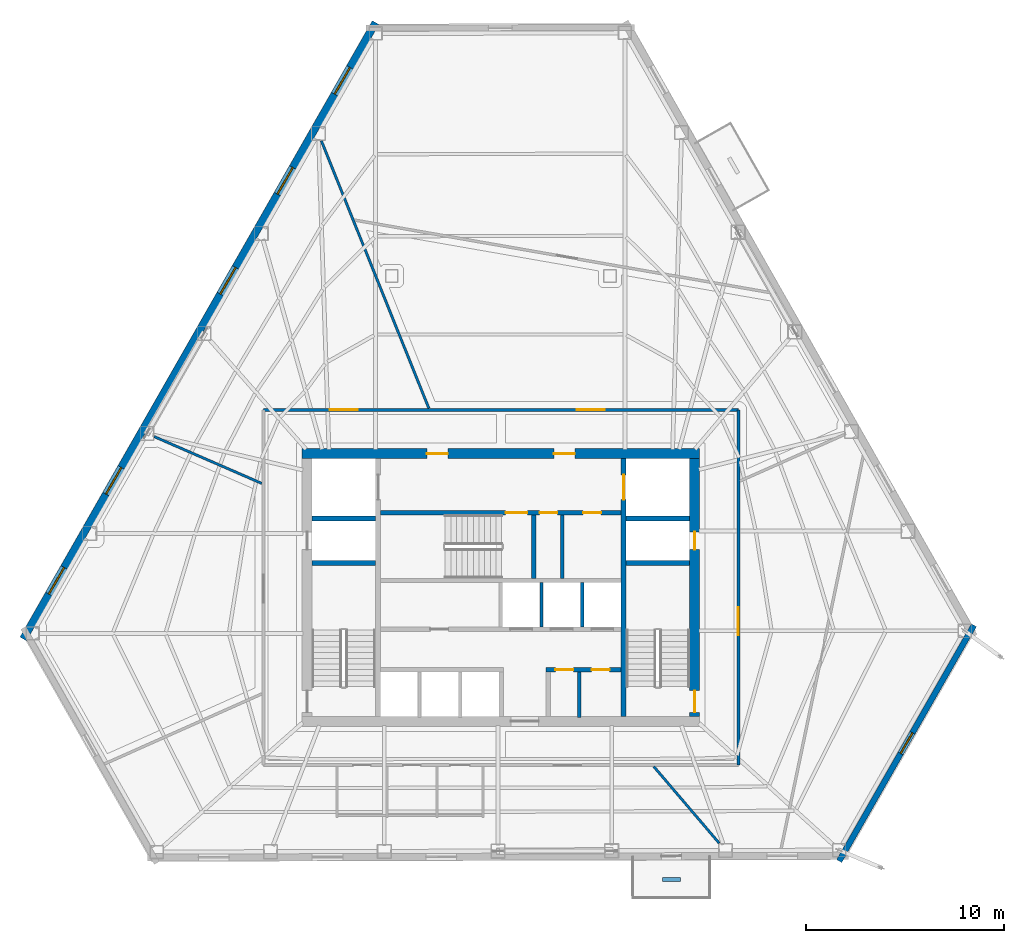
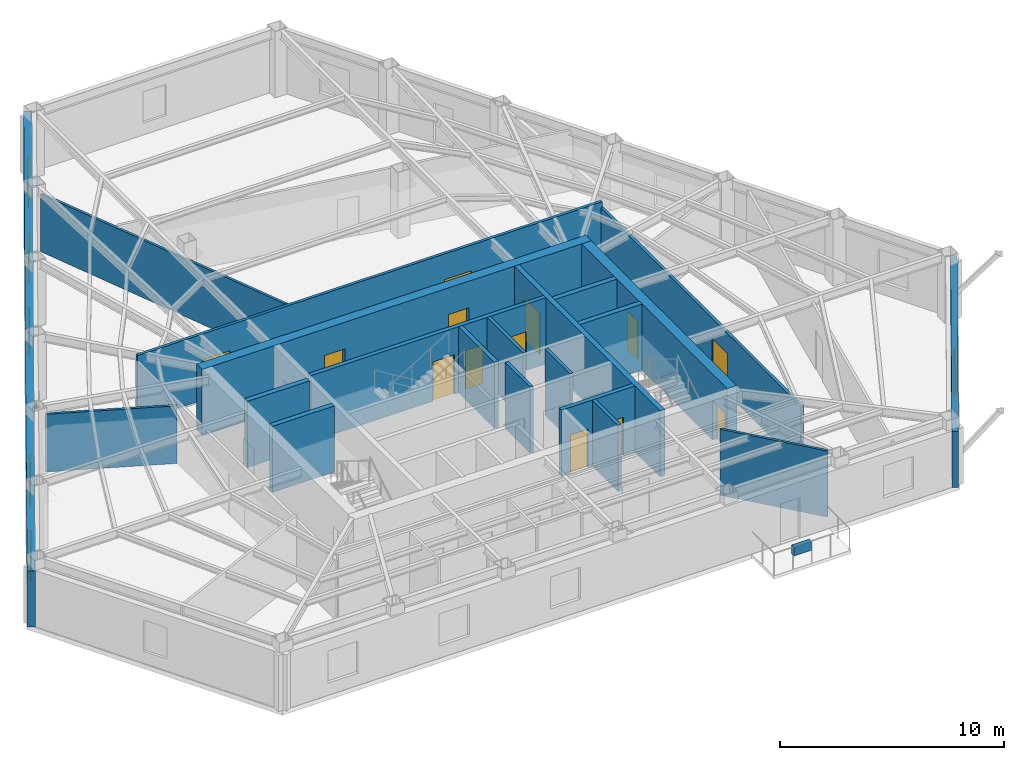
# One storey, part 7 of 11: 22 walls, 13 doors, 6 windows, 19 openings.
"""IFC4 building model written with IfcOpenShell, lengths in metres."""

from ifc_helpers import new_model, si_unit, direction, frame, frame_2d, origin, place, context, subcontext, project, spatial, rectangle, extrude, material, layer, layer_set, type_object, element, fill, save


model = new_model("IFC4")

# Units and contexts
model_context = context("Model", 3, precision=1e-05, world=origin(), true_north=direction((0.0, 1.0)))
body_context = subcontext(model_context, "Body", "Model", "MODEL_VIEW")
ifc_project = project(units=[si_unit("LENGTHUNIT", "METRE"), si_unit("AREAUNIT", "SQUARE_METRE"), si_unit("VOLUMEUNIT", "CUBIC_METRE"), si_unit("PLANEANGLEUNIT", "RADIAN"), si_unit("MASSUNIT", "GRAM", prefix="KILO")], contexts=[model_context])

# Site, building, storey
site_placement = place(None, origin())
site = spatial("IfcSite", under=ifc_project, at=site_placement, CompositionType="ELEMENT")
building_placement = place(site_placement, origin())
building = spatial("IfcBuilding", under=site, at=building_placement, Name="Kavelnor Concourse Tower", CompositionType="ELEMENT")
storey_placement = place(building_placement, frame((0.0, 0.0, 89.35009765625)))
storey = spatial("IfcBuildingStorey", under=building, at=storey_placement, Name="L22", CompositionType="ELEMENT", Elevation=89.35009765625)

# Wall, openings, doors
ifc_material_1 = material(Name="Concrete C60/75", Category="concrete")
ifc_layer_1 = layer(ifc_material_1, 0.5, Name="Concrete C60/75")
ifc_layer_set_1 = layer_set([ifc_layer_1], Name="Concrete C60/75")
wall_type_1 = type_object("IfcWallType", Name="WL-CORE-Z2-500", PredefinedType="SOLIDWALL", material=ifc_layer_set_1)
wall_1_placement = place(storey_placement, frame((27.97998046875, 22.85009765625, 0.0), z_axis=(0.0, 0.0, 1.0), x_axis=(1.0, 0.0, 0.0)))
wall_1 = element("IfcWall", 1, at=wall_1_placement, inside=storey, type_object=wall_type_1, Name="L22 Central Core North Shear Wall", PredefinedType="SOLIDWALL", context=body_context, shape_type="SweptSolid", body=[
    extrude(rectangle(XDim=20.0400390625, YDim=0.5, at=frame_2d((10.02001953125, 0.0))), origin(), (0.0, 0.0, 1.0), 3.599853515625),
])
opening_1_placement = place(wall_1_placement, frame((6.294921875, 0.0, 0.0)))
opening_1 = element("IfcOpeningElement", 2, at=opening_1_placement, cuts=wall_1, Name="Opening FD-105", PredefinedType="OPENING", context=body_context, shape_type="SweptSolid", body=[
    extrude(rectangle(XDim=1.050048828125, YDim=2.14990234375, at=frame_2d((0.52490234375, 1.074951171875))), frame((0.0, 0.260009765625, 0.0), z_axis=(0.0, -1.0, 0.0), x_axis=(1.0, 0.0, 0.0)), (0.0, 0.0, 1.0), 0.52001953125),
])
opening_2_placement = place(wall_1_placement, frame((12.695068359375, 0.0, 0.0)))
opening_2 = element("IfcOpeningElement", 3, at=opening_2_placement, cuts=wall_1, Name="Opening FD-105", PredefinedType="OPENING", context=body_context, shape_type="SweptSolid", body=[
    extrude(rectangle(XDim=1.050048828125, YDim=2.14990234375, at=frame_2d((0.52490234375, 1.074951171875))), frame((0.0, 0.260009765625, 0.0), z_axis=(0.0, -1.0, 0.0), x_axis=(1.0, 0.0, 0.0)), (0.0, 0.0, 1.0), 0.52001953125),
])
ifc_material_2 = material(Name="Steel Grade 350", Category="steel")
door_type_1 = type_object("IfcDoorType", Name="DR-LOBBY-FIRE-1050", OperationType="NOTDEFINED", PredefinedType="DOOR", material=ifc_material_2)
door_1_placement = place(opening_1_placement, origin())
door_1 = element("IfcDoor", 4, at=door_1_placement, inside=storey, type_object=door_type_1, Name="L22 Emergency Lift Lobby West Door", OperationType="SINGLE_SWING_LEFT", OverallHeight=2.14990234375, OverallWidth=1.050048828125, PredefinedType="DOOR", context=body_context, shape_type="SweptSolid", body=[
    extrude(rectangle(XDim=1.050048828125, YDim=2.14990234375, at=frame_2d((0.52490234375, 1.074951171875))), frame((0.0, 0.02490234375, 0.0), z_axis=(0.0, -1.0, 0.0), x_axis=(1.0, 0.0, 0.0)), (0.0, 0.0, 1.0), 0.050048828125),
])
fill(opening_1, door_1)
door_2_placement = place(opening_2_placement, origin())
door_2 = element("IfcDoor", 5, at=door_2_placement, inside=storey, type_object=door_type_1, Name="L22 Emergency Lift Lobby East Door", OperationType="SINGLE_SWING_RIGHT", OverallHeight=2.14990234375, OverallWidth=1.050048828125, PredefinedType="DOOR", context=body_context, shape_type="SweptSolid", body=[
    extrude(rectangle(XDim=1.050048828125, YDim=2.14990234375, at=frame_2d((0.52490234375, 1.074951171875))), frame((0.0, 0.02490234375, 0.0), z_axis=(0.0, -1.0, 0.0), x_axis=(1.0, 0.0, 0.0)), (0.0, 0.0, 1.0), 0.050048828125),
])
fill(opening_2, door_2)

wall_2_placement = place(storey_placement, frame((47.77001953125, 9.60009765625, 0.0), z_axis=(0.0, 0.0, 1.0), x_axis=(0.0, 1.0, 0.0)))
wall_2 = element("IfcWall", 6, at=wall_2_placement, inside=storey, type_object=wall_type_1, Name="L22 Central Core East Shear Wall", PredefinedType="SOLIDWALL", context=body_context, shape_type="SweptSolid", body=[
    extrude(rectangle(XDim=13.0, YDim=0.5, at=frame_2d((6.5, 0.0))), origin(), (0.0, 0.0, 1.0), 3.599853515625),
])
opening_3_placement = place(wall_2_placement, frame((0.199951171875, 0.0, 0.0)))
opening_3 = element("IfcOpeningElement", 7, at=opening_3_placement, cuts=wall_2, Name="Opening FD-110", PredefinedType="OPENING", context=body_context, shape_type="SweptSolid", body=[
    extrude(rectangle(XDim=1.10009765625, YDim=2.14990234375, at=frame_2d((0.550048828125, 1.074951171875))), frame((0.0, 0.260009765625, 0.0), z_axis=(0.0, -1.0, 0.0), x_axis=(1.0, 0.0, 0.0)), (0.0, 0.0, 1.0), 0.52001953125),
])
opening_4_placement = place(wall_2_placement, frame((8.39990234375, 0.0, 0.0)))
opening_4 = element("IfcOpeningElement", 8, at=opening_4_placement, cuts=wall_2, Name="Opening FD-090", PredefinedType="OPENING", context=body_context, shape_type="SweptSolid", body=[
    extrude(rectangle(XDim=0.89990234375, YDim=2.10009765625, at=frame_2d((0.449951171875, 1.050048828125))), frame((0.0, 0.260009765625, 0.0), z_axis=(0.0, -1.0, 0.0), x_axis=(1.0, 0.0, 0.0)), (0.0, 0.0, 1.0), 0.52001953125),
])
door_type_2 = type_object("IfcDoorType", Name="DR-RISER-FIRE-900", OperationType="NOTDEFINED", PredefinedType="DOOR", material=ifc_material_2)
door_3_placement = place(opening_4_placement, origin())
door_3 = element("IfcDoor", 9, at=door_3_placement, inside=storey, type_object=door_type_2, Name="L22 East Riser Access Door", OperationType="SINGLE_SWING_LEFT", OverallHeight=2.10009765625, OverallWidth=0.89990234375, PredefinedType="DOOR", context=body_context, shape_type="SweptSolid", body=[
    extrude(rectangle(XDim=0.89990234375, YDim=2.10009765625, at=frame_2d((0.449951171875, 1.050048828125))), frame((0.0, 0.02490234375, 0.0), z_axis=(0.0, -1.0, 0.0), x_axis=(1.0, 0.0, 0.0)), (0.0, 0.0, 1.0), 0.050048828125),
])
fill(opening_4, door_3)
door_type_3 = type_object("IfcDoorType", Name="DR-STAIR-FIRE-1100", OperationType="NOTDEFINED", PredefinedType="DOOR", material=ifc_material_2)
door_4_placement = place(opening_3_placement, origin())
door_4 = element("IfcDoor", 10, at=door_4_placement, inside=storey, type_object=door_type_3, Name="L22 Stair ST2 Fire Door", OperationType="SINGLE_SWING_RIGHT", OverallHeight=2.14990234375, OverallWidth=1.10009765625, PredefinedType="DOOR", context=body_context, shape_type="SweptSolid", body=[
    extrude(rectangle(XDim=1.10009765625, YDim=2.14990234375, at=frame_2d((0.550048828125, 1.074951171875))), frame((0.0, 0.02490234375, 0.0), z_axis=(0.0, -1.0, 0.0), x_axis=(1.0, 0.0, 0.0)), (0.0, 0.0, 1.0), 0.050048828125),
])
fill(opening_3, door_4)

# Wall, opening, window
ifc_material_3 = material(Name="Buff ironspot clay face brick masonry", Category="masonry")
ifc_layer_2 = layer(ifc_material_3, 0.300048828125, Name="Buff ironspot clay face brick masonry")
ifc_layer_set_2 = layer_set([ifc_layer_2], Name="Buff ironspot clay face brick masonry")
wall_type_2 = type_object("IfcWallType", Name="WL-EXT-BUFF-BRICK-FOLD-300", PredefinedType="STANDARD", material=ifc_layer_set_2)
wall_3_placement = place(storey_placement, frame((61.8466796875, 14.1923828125, 0.0), z_axis=(0.0, 0.0, 1.0), x_axis=(-0.49627336064, -0.868166315586, 0.0)))
wall_3 = element("IfcWall", 11, at=wall_3_placement, inside=storey, type_object=wall_type_2, Name="L22 Exterior Brick Facade Wall E4", PredefinedType="STANDARD", context=body_context, shape_type="SweptSolid", body=[
    extrude(rectangle(XDim=13.69091796875, YDim=0.300048828125, at=frame_2d((6.845458984375, 0.0))), origin(), (0.0, 0.0, 1.0), 3.058837890625),
])
opening_5_placement = place(wall_3_placement, frame((6.24560546875, 0.0, 0.64990234375)))
opening_5 = element("IfcOpeningElement", 12, at=opening_5_placement, cuts=wall_3, Name="Opening W-05", PredefinedType="OPENING", context=body_context, shape_type="SweptSolid", body=[
    extrude(rectangle(XDim=1.199951171875, YDim=1.699951171875, at=frame_2d((0.60009765625, 0.85009765625))), frame((0.0, 0.16015625, 0.0), z_axis=(0.0, -1.0, 0.0), x_axis=(1.0, 0.0, 0.0)), (0.0, 0.0, 1.0), 0.320068359375),
])
ifc_material_4 = material(Name="Double low-E argon insulated glazing", Category="glass")
window_type_1 = type_object("IfcWindowType", Name="WIN-FOLD-1200", PartitioningType="SINGLE_PANEL", PredefinedType="WINDOW", material=ifc_material_4)
window_1_placement = place(opening_5_placement, origin())
window_1 = element("IfcWindow", 13, at=window_1_placement, inside=storey, type_object=window_type_1, Name="L22 Chamfer-Fold Facet Window C2", OverallHeight=1.699951171875, OverallWidth=1.199951171875, PartitioningType="SINGLE_PANEL", PredefinedType="WINDOW", context=body_context, shape_type="SweptSolid", body=[
    extrude(rectangle(XDim=1.199951171875, YDim=1.699951171875, at=frame_2d((0.60009765625, 0.85009765625))), frame((0.0, 0.030029296875, 0.0), z_axis=(0.0, -1.0, 0.0), x_axis=(1.0, 0.0, 0.0)), (0.0, 0.0, 1.0), 0.06005859375),
])
fill(opening_5, window_1)

# Wall, openings, windows
ifc_material_5 = material(Name="Red-ochre clay face brick masonry", Category="masonry")
ifc_layer_3 = layer(ifc_material_5, 0.3798828125, Name="Red-ochre clay face brick masonry")
ifc_layer_set_3 = layer_set([ifc_layer_3], Name="Red-ochre clay face brick masonry")
wall_type_3 = type_object("IfcWallType", Name="WL-EXT-RED-BRICK-PIER-380", PredefinedType="STANDARD", material=ifc_layer_set_3)
wall_4_placement = place(storey_placement, frame((13.926025390625, 13.505615234375, 0.0), z_axis=(0.0, 0.0, 1.0), x_axis=(0.496286611319, 0.868158740914, 0.0)))
wall_4 = element("IfcWall", 14, at=wall_4_placement, inside=storey, type_object=wall_type_3, Name="L22 Exterior Brick Facade Wall E1", PredefinedType="STANDARD", context=body_context, shape_type="SweptSolid", body=[
    extrude(rectangle(XDim=35.784912109375, YDim=0.3798828125, at=frame_2d((17.892578125, 0.0))), origin(), (0.0, 0.0, 1.0), 3.058837890625),
])
opening_6_placement = place(wall_4_placement, frame((31.629638671875, 0.0, 0.64990234375)))
opening_6 = element("IfcOpeningElement", 15, at=opening_6_placement, cuts=wall_4, Name="Opening W-02", PredefinedType="OPENING", context=body_context, shape_type="SweptSolid", body=[
    extrude(rectangle(XDim=1.550048828125, YDim=1.75, at=frame_2d((0.77490234375, 0.875))), frame((0.0, 0.199951171875, 0.0), z_axis=(0.0, -1.0, 0.0), x_axis=(1.0, 0.0, 0.0)), (0.0, 0.0, 1.0), 0.39990234375),
])
opening_7_placement = place(wall_4_placement, frame((25.823974609375, 0.0, 0.64990234375)))
opening_7 = element("IfcOpeningElement", 16, at=opening_7_placement, cuts=wall_4, Name="Opening W-02", PredefinedType="OPENING", context=body_context, shape_type="SweptSolid", body=[
    extrude(rectangle(XDim=1.550048828125, YDim=1.75, at=frame_2d((0.77490234375, 0.875))), frame((0.0, 0.199951171875, 0.0), z_axis=(0.0, -1.0, 0.0), x_axis=(1.0, 0.0, 0.0)), (0.0, 0.0, 1.0), 0.39990234375),
])
opening_8_placement = place(wall_4_placement, frame((20.018310546875, 0.0, 0.64990234375)))
opening_8 = element("IfcOpeningElement", 17, at=opening_8_placement, cuts=wall_4, Name="Opening W-02", PredefinedType="OPENING", context=body_context, shape_type="SweptSolid", body=[
    extrude(rectangle(XDim=1.550048828125, YDim=1.75, at=frame_2d((0.77490234375, 0.875))), frame((0.0, 0.199951171875, 0.0), z_axis=(0.0, -1.0, 0.0), x_axis=(1.0, 0.0, 0.0)), (0.0, 0.0, 1.0), 0.39990234375),
])
opening_9_placement = place(wall_4_placement, frame((8.406982421875, 0.0, 0.64990234375)))
opening_9 = element("IfcOpeningElement", 18, at=opening_9_placement, cuts=wall_4, Name="Opening W-02", PredefinedType="OPENING", context=body_context, shape_type="SweptSolid", body=[
    extrude(rectangle(XDim=1.550048828125, YDim=1.75, at=frame_2d((0.77490234375, 0.875))), frame((0.0, 0.199951171875, 0.0), z_axis=(0.0, -1.0, 0.0), x_axis=(1.0, 0.0, 0.0)), (0.0, 0.0, 1.0), 0.39990234375),
])
opening_10_placement = place(wall_4_placement, frame((2.601318359375, 0.0, 0.64990234375)))
opening_10 = element("IfcOpeningElement", 19, at=opening_10_placement, cuts=wall_4, Name="Opening W-02", PredefinedType="OPENING", context=body_context, shape_type="SweptSolid", body=[
    extrude(rectangle(XDim=1.550048828125, YDim=1.75, at=frame_2d((0.77490234375, 0.875))), frame((0.0, 0.199951171875, 0.0), z_axis=(0.0, -1.0, 0.0), x_axis=(1.0, 0.0, 0.0)), (0.0, 0.0, 1.0), 0.39990234375),
])
window_type_2 = type_object("IfcWindowType", Name="WIN-PIER-Z2-1650", PartitioningType="SINGLE_PANEL", PredefinedType="WINDOW", material=ifc_material_4)
window_2_placement = place(opening_6_placement, origin())
window_2 = element("IfcWindow", 20, at=window_2_placement, inside=storey, type_object=window_type_2, Name="L22 Deep-Set Brick Pier Window F0-B0", OverallHeight=1.75, OverallWidth=1.550048828125, PartitioningType="SINGLE_PANEL", PredefinedType="WINDOW", context=body_context, shape_type="SweptSolid", body=[
    extrude(rectangle(XDim=1.550048828125, YDim=1.75, at=frame_2d((0.77490234375, 0.875))), frame((0.0, 0.030029296875, 0.0), z_axis=(0.0, -1.0, 0.0), x_axis=(1.0, 0.0, 0.0)), (0.0, 0.0, 1.0), 0.06005859375),
])
fill(opening_6, window_2)
window_3_placement = place(opening_7_placement, origin())
window_3 = element("IfcWindow", 21, at=window_3_placement, inside=storey, type_object=window_type_2, Name="L22 Deep-Set Brick Pier Window F0-B1", OverallHeight=1.75, OverallWidth=1.550048828125, PartitioningType="SINGLE_PANEL", PredefinedType="WINDOW", context=body_context, shape_type="SweptSolid", body=[
    extrude(rectangle(XDim=1.550048828125, YDim=1.75, at=frame_2d((0.77490234375, 0.875))), frame((0.0, 0.030029296875, 0.0), z_axis=(0.0, -1.0, 0.0), x_axis=(1.0, 0.0, 0.0)), (0.0, 0.0, 1.0), 0.06005859375),
])
fill(opening_7, window_3)
window_4_placement = place(opening_8_placement, origin())
window_4 = element("IfcWindow", 22, at=window_4_placement, inside=storey, type_object=window_type_2, Name="L22 Deep-Set Brick Pier Window F0-B2", OverallHeight=1.75, OverallWidth=1.550048828125, PartitioningType="SINGLE_PANEL", PredefinedType="WINDOW", context=body_context, shape_type="SweptSolid", body=[
    extrude(rectangle(XDim=1.550048828125, YDim=1.75, at=frame_2d((0.77490234375, 0.875))), frame((0.0, 0.030029296875, 0.0), z_axis=(0.0, -1.0, 0.0), x_axis=(1.0, 0.0, 0.0)), (0.0, 0.0, 1.0), 0.06005859375),
])
fill(opening_8, window_4)
window_5_placement = place(opening_9_placement, origin())
window_5 = element("IfcWindow", 23, at=window_5_placement, inside=storey, type_object=window_type_2, Name="L22 Deep-Set Brick Pier Window F0-B4", OverallHeight=1.75, OverallWidth=1.550048828125, PartitioningType="SINGLE_PANEL", PredefinedType="WINDOW", context=body_context, shape_type="SweptSolid", body=[
    extrude(rectangle(XDim=1.550048828125, YDim=1.75, at=frame_2d((0.77490234375, 0.875))), frame((0.0, 0.030029296875, 0.0), z_axis=(0.0, -1.0, 0.0), x_axis=(1.0, 0.0, 0.0)), (0.0, 0.0, 1.0), 0.06005859375),
])
fill(opening_9, window_5)
window_6_placement = place(opening_10_placement, origin())
window_6 = element("IfcWindow", 24, at=window_6_placement, inside=storey, type_object=window_type_2, Name="L22 Deep-Set Brick Pier Window F0-B5", OverallHeight=1.75, OverallWidth=1.550048828125, PartitioningType="SINGLE_PANEL", PredefinedType="WINDOW", context=body_context, shape_type="SweptSolid", body=[
    extrude(rectangle(XDim=1.550048828125, YDim=1.75, at=frame_2d((0.77490234375, 0.875))), frame((0.0, 0.030029296875, 0.0), z_axis=(0.0, -1.0, 0.0), x_axis=(1.0, 0.0, 0.0)), (0.0, 0.0, 1.0), 0.06005859375),
])
fill(opening_10, window_6)

# Wall, opening, door
ifc_material_6 = material(Name="Gypsum plasterboard on light-gauge steel studs", Category="steel")
ifc_layer_4 = layer(ifc_material_6, 0.14501953125, Name="Gypsum plasterboard on light-gauge steel studs")
ifc_layer_set_4 = layer_set([ifc_layer_4], Name="Gypsum plasterboard on light-gauge steel studs")
wall_type_4 = type_object("IfcWallType", Name="WL-INT-CORR-145", PredefinedType="PARTITIONING", material=ifc_layer_set_4)
wall_5_placement = place(storey_placement, frame((49.969970703125, 7.14990234375, 0.0), z_axis=(0.0, 0.0, 1.0), x_axis=(0.0, 1.0, 0.0)))
wall_5 = element("IfcWall", 25, at=wall_5_placement, inside=storey, type_object=wall_type_4, Name="L22 Corridor Wall WL-L22-CR-01", PredefinedType="PARTITIONING", context=body_context, shape_type="SweptSolid", body=[
    extrude(rectangle(XDim=17.900146484375, YDim=0.14501953125, at=frame_2d((8.9501953125, 0.0))), origin(), (0.0, 0.0, 1.0), 3.287841796875),
])
opening_11_placement = place(wall_5_placement, frame((6.53955078125, 0.0, 0.0)))
opening_11 = element("IfcOpeningElement", 26, at=opening_11_placement, cuts=wall_5, Name="Opening SD-140", PredefinedType="OPENING", context=body_context, shape_type="SweptSolid", body=[
    extrude(rectangle(XDim=1.39990234375, YDim=2.199951171875, at=frame_2d((0.699951171875, 1.10009765625))), frame((0.0, 0.08251953125, 0.0), z_axis=(0.0, -1.0, 0.0), x_axis=(1.0, 0.0, 0.0)), (0.0, 0.0, 1.0), 0.1650390625),
])
ifc_material_7 = material(Name="Solid-core hardwood timber", Category="wood")
door_type_4 = type_object("IfcDoorType", Name="DR-SUITE-ENTRY-1400", OperationType="NOTDEFINED", PredefinedType="DOOR", material=ifc_material_7)
door_5_placement = place(opening_11_placement, origin())
door_5 = element("IfcDoor", 27, at=door_5_placement, inside=storey, type_object=door_type_4, Name="L22 Staff Breakout Pantry 06 Door", OperationType="SINGLE_SWING_LEFT", OverallHeight=2.199951171875, OverallWidth=1.39990234375, PredefinedType="DOOR", context=body_context, shape_type="SweptSolid", body=[
    extrude(rectangle(XDim=1.39990234375, YDim=2.199951171875, at=frame_2d((0.699951171875, 1.10009765625))), frame((0.0, 0.02490234375, 0.0), z_axis=(0.0, -1.0, 0.0), x_axis=(1.0, 0.0, 0.0)), (0.0, 0.0, 1.0), 0.050048828125),
])
fill(opening_11, door_5)

# Wall, openings, doors
wall_6_placement = place(storey_placement, frame((49.969970703125, 25.050048828125, 0.0), z_axis=(0.0, 0.0, 1.0), x_axis=(-1.0, 0.0, 0.0)))
wall_6 = element("IfcWall", 28, at=wall_6_placement, inside=storey, type_object=wall_type_4, Name="L22 Corridor Wall WL-L22-CR-02", PredefinedType="PARTITIONING", context=body_context, shape_type="SweptSolid", body=[
    extrude(rectangle(XDim=23.93994140625, YDim=0.14501953125, at=frame_2d((11.969970703125, 0.0))), origin(), (0.0, 0.0, 1.0), 3.599853515625),
])
opening_12_placement = place(wall_6_placement, frame((6.743408203125, 0.0, 0.0)))
opening_12 = element("IfcOpeningElement", 29, at=opening_12_placement, cuts=wall_6, Name="Opening SD-140", PredefinedType="OPENING", context=body_context, shape_type="SweptSolid", body=[
    extrude(rectangle(XDim=1.39990234375, YDim=2.199951171875, at=frame_2d((0.699951171875, 1.10009765625))), frame((0.0, 0.08251953125, 0.0), z_axis=(0.0, -1.0, 0.0), x_axis=(1.0, 0.0, 0.0)), (0.0, 0.0, 1.0), 0.1650390625),
])
opening_13_placement = place(wall_6_placement, frame((19.184326171875, 0.0, 0.0)))
opening_13 = element("IfcOpeningElement", 30, at=opening_13_placement, cuts=wall_6, Name="Opening SD-140", PredefinedType="OPENING", context=body_context, shape_type="SweptSolid", body=[
    extrude(rectangle(XDim=1.39990234375, YDim=2.199951171875, at=frame_2d((0.699951171875, 1.10009765625))), frame((0.0, 0.08251953125, 0.0), z_axis=(0.0, -1.0, 0.0), x_axis=(1.0, 0.0, 0.0)), (0.0, 0.0, 1.0), 0.1650390625),
])
door_6_placement = place(opening_12_placement, origin())
door_6 = element("IfcDoor", 31, at=door_6_placement, inside=storey, type_object=door_type_4, Name="L22 Staff Breakout Pantry 01 Door", OperationType="SINGLE_SWING_RIGHT", OverallHeight=2.199951171875, OverallWidth=1.39990234375, PredefinedType="DOOR", context=body_context, shape_type="SweptSolid", body=[
    extrude(rectangle(XDim=1.39990234375, YDim=2.199951171875, at=frame_2d((0.699951171875, 1.10009765625))), frame((0.0, 0.02490234375, 0.0), z_axis=(0.0, -1.0, 0.0), x_axis=(1.0, 0.0, 0.0)), (0.0, 0.0, 1.0), 0.050048828125),
])
fill(opening_12, door_6)
door_7_placement = place(opening_13_placement, origin())
door_7 = element("IfcDoor", 32, at=door_7_placement, inside=storey, type_object=door_type_4, Name="L22 Technical Reference Library 03 Door", OperationType="SINGLE_SWING_RIGHT", OverallHeight=2.199951171875, OverallWidth=1.39990234375, PredefinedType="DOOR", context=body_context, shape_type="SweptSolid", body=[
    extrude(rectangle(XDim=1.39990234375, YDim=2.199951171875, at=frame_2d((0.699951171875, 1.10009765625))), frame((0.0, 0.02490234375, 0.0), z_axis=(0.0, -1.0, 0.0), x_axis=(1.0, 0.0, 0.0)), (0.0, 0.0, 1.0), 0.050048828125),
])
fill(opening_13, door_7)

# Walls
ifc_layer_5 = layer(ifc_material_6, 0.1650390625, Name="Gypsum plasterboard on light-gauge steel studs")
ifc_layer_set_5 = layer_set([ifc_layer_5], Name="Gypsum plasterboard on light-gauge steel studs")
wall_type_5 = type_object("IfcWallType", Name="WL-INT-FIRE-165", PredefinedType="PARTITIONING", material=ifc_layer_set_5)
for number, where, z_axis, x_axis, name in (
    (33, (40.050048828125, 14.10009765625, 0.0), (0.0, 0.0, 1.0), (0.0, 1.0, 0.0), "L22 Lift Shaft Divider LP4"),
    (34, (42.10009765625, 14.10009765625, 0.0), (0.0, 0.0, 1.0), (0.0, 1.0, 0.0), "L22 Lift Shaft Divider LP5"),
):
    element("IfcWall", number, at=place(storey_placement, frame(where, z_axis=z_axis, x_axis=x_axis)), inside=storey, type_object=wall_type_5, Name=name, PredefinedType="PARTITIONING", context=body_context, shape_type="SweptSolid", body=[
        extrude(rectangle(XDim=2.239990234375, YDim=0.1650390625, at=frame_2d((1.1201171875, 0.0))), origin(), (0.0, 0.0, 1.0), 3.599853515625),
    ])
wall_7_placement = place(storey_placement, frame((41.10009765625, 16.56005859375, 0.0), z_axis=(0.0, 0.0, 1.0), x_axis=(0.0, 1.0, 0.0)))
element("IfcWall", 35, at=wall_7_placement, inside=storey, type_object=wall_type_5, Name="L22 Core Support West Divider", PredefinedType="PARTITIONING", context=body_context, shape_type="SweptSolid", body=[
    extrude(rectangle(XDim=3.199951171875, YDim=0.1650390625, at=frame_2d((1.60009765625, 0.0))), origin(), (0.0, 0.0, 1.0), 3.599853515625),
])
wall_8_placement = place(storey_placement, frame((41.949951171875, 9.550048828125, 0.0), z_axis=(0.0, 0.0, 1.0), x_axis=(0.0, 1.0, 0.0)))
element("IfcWall", 36, at=wall_8_placement, inside=storey, type_object=wall_type_5, Name="L22 Core WC Partition", PredefinedType="PARTITIONING", context=body_context, shape_type="SweptSolid", body=[
    extrude(rectangle(XDim=2.2900390625, YDim=0.1650390625, at=frame_2d((1.14501953125, 0.0))), origin(), (0.0, 0.0, 1.0), 3.599853515625),
])
ifc_layer_6 = layer(ifc_material_6, 0.125, Name="Gypsum plasterboard on light-gauge steel studs")
ifc_layer_set_6 = layer_set([ifc_layer_6], Name="Gypsum plasterboard on light-gauge steel studs")
wall_type_6 = type_object("IfcWallType", Name="WL-INT-SUITE-125", PredefinedType="PARTITIONING", material=ifc_layer_set_6)
wall_9_placement = place(storey_placement, frame((34.3701171875, 25.130615234375, 0.0), z_axis=(0.0, 0.0, 1.0), x_axis=(-0.372968583389, 0.927843971692, 0.0)))
element("IfcWall", 37, at=wall_9_placement, inside=storey, type_object=wall_type_6, Name="L22 Radial Suite Partition 02", PredefinedType="PARTITIONING", context=body_context, shape_type="SweptSolid", body=[
    extrude(rectangle(XDim=14.53369140625, YDim=0.125, at=frame_2d((7.266845703125, 0.0))), origin(), (0.0, 0.0, 1.0), 3.140869140625),
])
wall_10_placement = place(storey_placement, frame((25.949462890625, 21.343017578125, 0.0), z_axis=(0.0, 0.0, 1.0), x_axis=(-0.916959775259, 0.398979661834, 0.0)))
element("IfcWall", 38, at=wall_10_placement, inside=storey, type_object=wall_type_6, Name="L22 Radial Suite Partition 03", PredefinedType="PARTITIONING", context=body_context, shape_type="SweptSolid", body=[
    extrude(rectangle(XDim=5.914794921875, YDim=0.125, at=frame_2d((2.95751953125, 0.0))), origin(), (0.0, 0.0, 1.0), 3.140869140625),
])
wall_11_placement = place(storey_placement, frame((45.710205078125, 7.069580078125, 0.0), z_axis=(0.0, 0.0, 1.0), x_axis=(0.649317320113, -0.760517598613, 0.0)))
element("IfcWall", 39, at=wall_11_placement, inside=storey, type_object=wall_type_6, Name="L22 Radial Suite Partition 05", PredefinedType="PARTITIONING", context=body_context, shape_type="SweptSolid", body=[
    extrude(rectangle(XDim=5.078125, YDim=0.125, at=frame_2d((2.5390625, 0.0))), origin(), (0.0, 0.0, 1.0), 3.599853515625),
])
ifc_material_8 = material(Name="Architectural precast planter concrete C40/50", Category="concrete")
ifc_layer_7 = layer(ifc_material_8, 0.18994140625, Name="Architectural precast planter concrete C40/50")
ifc_layer_set_7 = layer_set([ifc_layer_7], Name="Architectural precast planter concrete C40/50")
wall_type_7 = type_object("IfcWallType", Name="WL-PLANTER-KERB-190", PredefinedType="USERDEFINED", material=ifc_layer_set_7)
wall_12_placement = place(storey_placement, frame((46.147216796875, 1.375732421875, 0.0), z_axis=(0.0, 0.0, 1.0), x_axis=(0.999996319923, 0.002712958003, 0.0)))
element("IfcWall", 40, at=wall_12_placement, inside=storey, type_object=wall_type_7, Name="L22 Tree Balcony 1 Tree Planter Kerb", ObjectType="PLANTER", PredefinedType="USERDEFINED", context=body_context, shape_type="SweptSolid", body=[
    extrude(rectangle(XDim=0.89990234375, YDim=0.18994140625, at=frame_2d((0.449951171875, 0.0))), origin(), (0.0, 0.0, 1.0), 0.5),
])

# Wall, openings, doors
ifc_material_9 = material(Name="Concrete C50/60", Category="concrete")
ifc_layer_8 = layer(ifc_material_9, 0.219970703125, Name="Concrete C50/60")
ifc_layer_set_8 = layer_set([ifc_layer_8], Name="Concrete C50/60")
wall_type_8 = type_object("IfcWallType", Name="WL-SHAFT-220", PredefinedType="SOLIDWALL", material=ifc_layer_set_8)
wall_13_placement = place(storey_placement, frame((31.93994140625, 19.8701171875, 0.0), z_axis=(0.0, 0.0, 1.0), x_axis=(1.0, 0.0, 0.0)))
wall_13 = element("IfcWall", 41, at=wall_13_placement, inside=storey, type_object=wall_type_8, Name="L22 Emergency Lift Lobby South Wall", PredefinedType="SOLIDWALL", context=body_context, shape_type="SweptSolid", body=[
    extrude(rectangle(XDim=12.1201171875, YDim=0.219970703125, at=frame_2d((6.06005859375, 0.0))), origin(), (0.0, 0.0, 1.0), 3.599853515625),
])
opening_14_placement = place(wall_13_placement, frame((6.300048828125, 0.0, 0.0)))
opening_14 = element("IfcOpeningElement", 42, at=opening_14_placement, cuts=wall_13, Name="Opening FD-110", PredefinedType="OPENING", context=body_context, shape_type="SweptSolid", body=[
    extrude(rectangle(XDim=1.10009765625, YDim=2.14990234375, at=frame_2d((0.550048828125, 1.074951171875))), frame((0.0, 0.1201171875, 0.0), z_axis=(0.0, -1.0, 0.0), x_axis=(1.0, 0.0, 0.0)), (0.0, 0.0, 1.0), 0.239990234375),
])
opening_15_placement = place(wall_13_placement, frame((8.010009765625, 0.0, 0.0)))
opening_15 = element("IfcOpeningElement", 43, at=opening_15_placement, cuts=wall_13, Name="Opening FD-090", PredefinedType="OPENING", context=body_context, shape_type="SweptSolid", body=[
    extrude(rectangle(XDim=0.89990234375, YDim=2.10009765625, at=frame_2d((0.449951171875, 1.050048828125))), frame((0.0, 0.1201171875, 0.0), z_axis=(0.0, -1.0, 0.0), x_axis=(1.0, 0.0, 0.0)), (0.0, 0.0, 1.0), 0.239990234375),
])
opening_16_placement = place(wall_13_placement, frame((10.2099609375, 0.0, 0.0)))
opening_16 = element("IfcOpeningElement", 44, at=opening_16_placement, cuts=wall_13, Name="Opening FD-090", PredefinedType="OPENING", context=body_context, shape_type="SweptSolid", body=[
    extrude(rectangle(XDim=0.89990234375, YDim=2.10009765625, at=frame_2d((0.449951171875, 1.050048828125))), frame((0.0, 0.1201171875, 0.0), z_axis=(0.0, -1.0, 0.0), x_axis=(1.0, 0.0, 0.0)), (0.0, 0.0, 1.0), 0.239990234375),
])
door_8_placement = place(opening_15_placement, origin())
door_8 = element("IfcDoor", 45, at=door_8_placement, inside=storey, type_object=door_type_2, Name="L22 Cleaner Door", OperationType="SINGLE_SWING_RIGHT", OverallHeight=2.10009765625, OverallWidth=0.89990234375, PredefinedType="DOOR", context=body_context, shape_type="SweptSolid", body=[
    extrude(rectangle(XDim=0.89990234375, YDim=2.10009765625, at=frame_2d((0.449951171875, 1.050048828125))), frame((0.0, 0.02490234375, 0.0), z_axis=(0.0, -1.0, 0.0), x_axis=(1.0, 0.0, 0.0)), (0.0, 0.0, 1.0), 0.050048828125),
])
fill(opening_15, door_8)
door_9_placement = place(opening_16_placement, origin())
door_9 = element("IfcDoor", 46, at=door_9_placement, inside=storey, type_object=door_type_2, Name="L22 UPS Room Door", OperationType="SINGLE_SWING_LEFT", OverallHeight=2.10009765625, OverallWidth=0.89990234375, PredefinedType="DOOR", context=body_context, shape_type="SweptSolid", body=[
    extrude(rectangle(XDim=0.89990234375, YDim=2.10009765625, at=frame_2d((0.449951171875, 1.050048828125))), frame((0.0, 0.02490234375, 0.0), z_axis=(0.0, -1.0, 0.0), x_axis=(1.0, 0.0, 0.0)), (0.0, 0.0, 1.0), 0.050048828125),
])
fill(opening_16, door_9)
door_10_placement = place(opening_14_placement, origin())
door_10 = element("IfcDoor", 47, at=door_10_placement, inside=storey, type_object=door_type_3, Name="L22 Stair ST3 Fire Door", OperationType="SINGLE_SWING_LEFT", OverallHeight=2.14990234375, OverallWidth=1.10009765625, PredefinedType="DOOR", context=body_context, shape_type="SweptSolid", body=[
    extrude(rectangle(XDim=1.10009765625, YDim=2.14990234375, at=frame_2d((0.550048828125, 1.074951171875))), frame((0.0, 0.02490234375, 0.0), z_axis=(0.0, -1.0, 0.0), x_axis=(1.0, 0.0, 0.0)), (0.0, 0.0, 1.0), 0.050048828125),
])
fill(opening_14, door_10)

# Wall
wall_14_placement = place(storey_placement, frame((39.64990234375, 16.56005859375, 0.0), z_axis=(0.0, 0.0, 1.0), x_axis=(0.0, 1.0, 0.0)))
element("IfcWall", 48, at=wall_14_placement, inside=storey, type_object=wall_type_8, Name="L22 Stair ST3 East Core Wall", PredefinedType="SOLIDWALL", context=body_context, shape_type="SweptSolid", body=[
    extrude(rectangle(XDim=3.199951171875, YDim=0.219970703125, at=frame_2d((1.60009765625, 0.0))), origin(), (0.0, 0.0, 1.0), 3.599853515625),
])

# Wall, openings, doors
wall_15_placement = place(storey_placement, frame((40.280029296875, 11.949951171875, 0.0), z_axis=(0.0, 0.0, 1.0), x_axis=(1.0, 0.0, 0.0)))
wall_15 = element("IfcWall", 49, at=wall_15_placement, inside=storey, type_object=wall_type_8, Name="L22 Core South Support North Wall", PredefinedType="SOLIDWALL", context=body_context, shape_type="SweptSolid", body=[
    extrude(rectangle(XDim=3.780029296875, YDim=0.219970703125, at=frame_2d((1.89013671875, 0.0))), origin(), (0.0, 0.0, 1.0), 3.599853515625),
])
opening_17_placement = place(wall_15_placement, frame((0.469970703125, 0.0, 0.0)))
opening_17 = element("IfcOpeningElement", 50, at=opening_17_placement, cuts=wall_15, Name="Opening FD-090", PredefinedType="OPENING", context=body_context, shape_type="SweptSolid", body=[
    extrude(rectangle(XDim=0.89990234375, YDim=2.10009765625, at=frame_2d((0.449951171875, 1.050048828125))), frame((0.0, 0.1201171875, 0.0), z_axis=(0.0, -1.0, 0.0), x_axis=(1.0, 0.0, 0.0)), (0.0, 0.0, 1.0), 0.239990234375),
])
opening_18_placement = place(wall_15_placement, frame((2.300048828125, 0.0, 0.0)))
opening_18 = element("IfcOpeningElement", 51, at=opening_18_placement, cuts=wall_15, Name="Opening FD-090", PredefinedType="OPENING", context=body_context, shape_type="SweptSolid", body=[
    extrude(rectangle(XDim=0.89990234375, YDim=2.10009765625, at=frame_2d((0.449951171875, 1.050048828125))), frame((0.0, 0.1201171875, 0.0), z_axis=(0.0, -1.0, 0.0), x_axis=(1.0, 0.0, 0.0)), (0.0, 0.0, 1.0), 0.239990234375),
])
door_11_placement = place(opening_17_placement, origin())
door_11 = element("IfcDoor", 52, at=door_11_placement, inside=storey, type_object=door_type_2, Name="L22 Staff WC Door", OperationType="SINGLE_SWING_LEFT", OverallHeight=2.10009765625, OverallWidth=0.89990234375, PredefinedType="DOOR", context=body_context, shape_type="SweptSolid", body=[
    extrude(rectangle(XDim=0.89990234375, YDim=2.10009765625, at=frame_2d((0.449951171875, 1.050048828125))), frame((0.0, 0.02490234375, 0.0), z_axis=(0.0, -1.0, 0.0), x_axis=(1.0, 0.0, 0.0)), (0.0, 0.0, 1.0), 0.050048828125),
])
fill(opening_17, door_11)
door_12_placement = place(opening_18_placement, origin())
door_12 = element("IfcDoor", 53, at=door_12_placement, inside=storey, type_object=door_type_2, Name="L22 Core Comms Door", OperationType="SINGLE_SWING_RIGHT", OverallHeight=2.10009765625, OverallWidth=0.89990234375, PredefinedType="DOOR", context=body_context, shape_type="SweptSolid", body=[
    extrude(rectangle(XDim=0.89990234375, YDim=2.10009765625, at=frame_2d((0.449951171875, 1.050048828125))), frame((0.0, 0.02490234375, 0.0), z_axis=(0.0, -1.0, 0.0), x_axis=(1.0, 0.0, 0.0)), (0.0, 0.0, 1.0), 0.050048828125),
])
fill(opening_18, door_12)

# Wall, opening, door
ifc_layer_9 = layer(ifc_material_9, 0.260009765625, Name="Concrete C50/60")
ifc_layer_set_9 = layer_set([ifc_layer_9], Name="Concrete C50/60")
wall_type_9 = type_object("IfcWallType", Name="WL-SHAFT-260", PredefinedType="SHEAR", material=ifc_layer_set_9)
wall_16_placement = place(storey_placement, frame((44.18994140625, 9.60009765625, 0.0), z_axis=(0.0, 0.0, 1.0), x_axis=(0.0, 1.0, 0.0)))
wall_16 = element("IfcWall", 54, at=wall_16_placement, inside=storey, type_object=wall_type_9, Name="L22 Core East Wing Shear Wall", PredefinedType="SHEAR", context=body_context, shape_type="SweptSolid", body=[
    extrude(rectangle(XDim=13.0, YDim=0.260009765625, at=frame_2d((6.5, 0.0))), origin(), (0.0, 0.0, 1.0), 3.599853515625),
])
opening_19_placement = place(wall_16_placement, frame((10.925048828125, 0.0, 0.0)))
opening_19 = element("IfcOpeningElement", 55, at=opening_19_placement, cuts=wall_16, Name="Opening LD-125", PredefinedType="OPENING", context=body_context, shape_type="SweptSolid", body=[
    extrude(rectangle(XDim=1.25, YDim=2.25, at=frame_2d((0.625, 1.125))), frame((0.0, 0.14013671875, 0.0), z_axis=(0.0, -1.0, 0.0), x_axis=(1.0, 0.0, 0.0)), (0.0, 0.0, 1.0), 0.280029296875),
])
door_type_5 = type_object("IfcDoorType", Name="DR-LIFT-SLIDING-1250", OperationType="NOTDEFINED", PredefinedType="DOOR", material=ifc_material_2)
door_13_placement = place(opening_19_placement, origin())
door_13 = element("IfcDoor", 56, at=door_13_placement, inside=storey, type_object=door_type_5, Name="L22 Emergency Lift FL2 Landing Door", OperationType="DOUBLE_DOOR_SLIDING", OverallHeight=2.25, OverallWidth=1.25, PredefinedType="DOOR", context=body_context, shape_type="SweptSolid", body=[
    extrude(rectangle(XDim=1.25, YDim=2.25, at=frame_2d((0.625, 1.125))), frame((0.0, 0.02490234375, 0.0), z_axis=(0.0, -1.0, 0.0), x_axis=(1.0, 0.0, 0.0)), (0.0, 0.0, 1.0), 0.050048828125),
])
fill(opening_19, door_13)

# Walls
for number, where, z_axis, x_axis, name in (
    (57, (28.47998046875, 17.330078125, 0.0), (0.0, 0.0, 1.0), (1.0, 0.0, 0.0), "L22 Stair ST1 North Shaft Wall"),
    (58, (28.47998046875, 19.570068359375, 0.0), (0.0, 0.0, 1.0), (1.0, 0.0, 0.0), "L22 Emergency Lift FL1 South Shaft Wall"),
    (59, (44.320068359375, 17.330078125, 0.0), (0.0, 0.0, 1.0), (1.0, 0.0, 0.0), "L22 Stair ST2 North Shaft Wall"),
    (60, (44.320068359375, 19.570068359375, 0.0), (0.0, 0.0, 1.0), (1.0, 0.0, 0.0), "L22 Emergency Lift FL2 South Shaft Wall"),
):
    element("IfcWall", number, at=place(storey_placement, frame(where, z_axis=z_axis, x_axis=x_axis)), inside=storey, type_object=wall_type_9, Name=name, PredefinedType="SHEAR", context=body_context, shape_type="SweptSolid", body=[
        extrude(rectangle(XDim=3.199951171875, YDim=0.260009765625, at=frame_2d((1.60009765625, 0.0))), origin(), (0.0, 0.0, 1.0), 3.599853515625),
    ])

save(model, "model.ifc")
